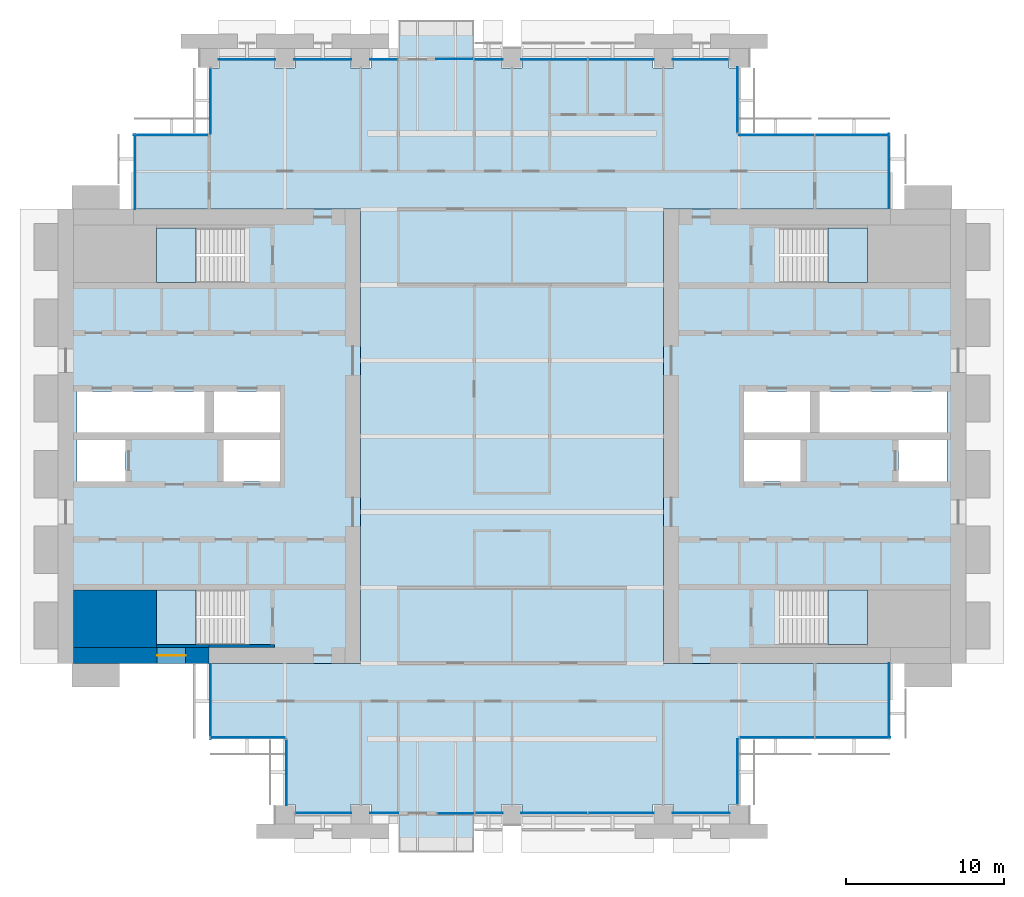
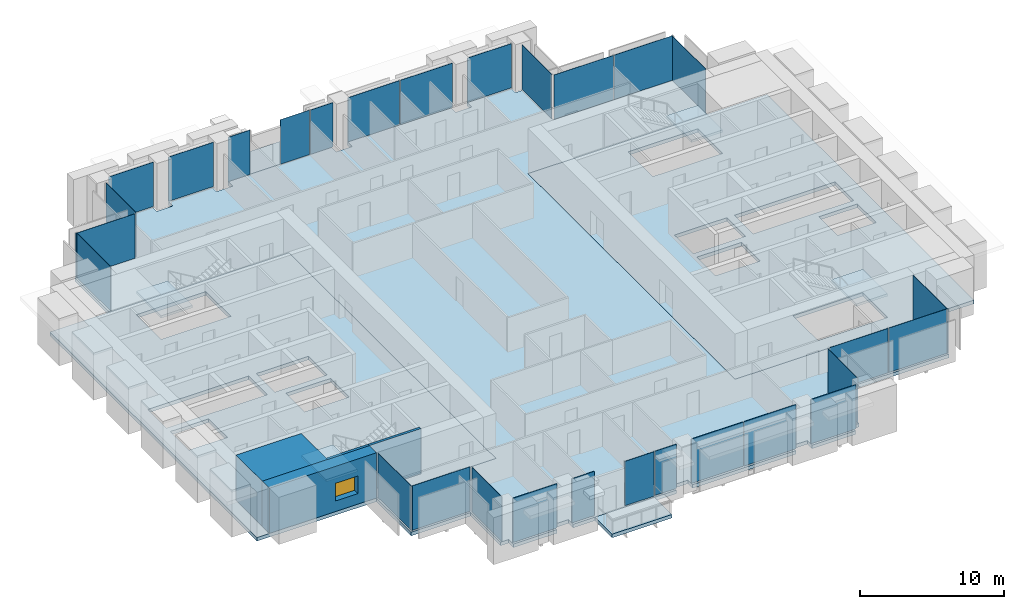
# One storey, part 8 of 15: 29 plates, 9 slabs, 4 walls, 1 window, 1 opening, 22 elements without a shape of their own.
"""IFC4 building model written with IfcOpenShell, lengths in metres."""

from ifc_helpers import new_model, si_unit, direction, frame, frame_2d, origin, origin_2d, place, context, subcontext, project, spatial, polyline, rectangle, outline, extrude, material, layer, layer_set, type_object, element, fill, aggregate, save


model = new_model("IFC4")

# Units and contexts
model_context = context("Model", 3, precision=1e-05, world=origin(), true_north=direction((0.0, 1.0)))
body_context = subcontext(model_context, "Body", "Model", "MODEL_VIEW")
ifc_project = project(units=[si_unit("LENGTHUNIT", "METRE"), si_unit("AREAUNIT", "SQUARE_METRE"), si_unit("VOLUMEUNIT", "CUBIC_METRE"), si_unit("PLANEANGLEUNIT", "RADIAN"), si_unit("MASSUNIT", "GRAM", prefix="KILO")], contexts=[model_context])

# Site, building, storey
site_placement = place(None, origin())
site = spatial("IfcSite", under=ifc_project, at=site_placement, CompositionType="ELEMENT")
building_placement = place(site_placement, origin())
building = spatial("IfcBuilding", under=site, at=building_placement, Name="Baori Bourse Tower", CompositionType="ELEMENT")
storey_placement = place(building_placement, frame((0.0, 0.0, 104.10009765625)))
storey = spatial("IfcBuildingStorey", under=building, at=storey_placement, Name="L21", CompositionType="ELEMENT", Elevation=104.10009765625)

# Slabs
ifc_material_1 = material(Name="Concrete f'c 40 MPa", Category="concrete")
ifc_layer_1 = layer(ifc_material_1, 0.300048828125)
ifc_layer_set_1 = layer_set([ifc_layer_1], Name="BL2 Balcony slab 300")
slab_type_1 = type_object("IfcSlabType", Name="BL2 Balcony slab 300", PredefinedType="FLOOR", material=ifc_layer_set_1)
slab_1_placement = place(storey_placement, frame((0.0, 0.0, -0.300048828125)))
element("IfcSlab", 1, at=slab_1_placement, inside=storey, type_object=slab_type_1, Name="Balcony slab L21 S", PredefinedType="FLOOR", context=body_context, shape_type="SweptSolid", body=[
    extrude(outline(polyline([(21.60009765625, 0.0), (21.60009765625, -2.39990234375), (26.39990234375, -2.39990234375), (26.39990234375, 0.0), (21.60009765625, 0.0)])), origin(), (0.0, 0.0, 1.0), 0.300048828125),
])
slab_2_placement = place(storey_placement, frame((0.0, 0.0, -0.300048828125)))
element("IfcSlab", 2, at=slab_2_placement, inside=storey, type_object=slab_type_1, Name="Balcony slab L21 N", PredefinedType="FLOOR", context=body_context, shape_type="SweptSolid", body=[
    extrude(outline(polyline([(21.60009765625, 48.0), (26.39990234375, 48.0), (26.39990234375, 50.39990234375), (21.60009765625, 50.39990234375), (21.60009765625, 48.0)])), origin(), (0.0, 0.0, 1.0), 0.300048828125),
])

# Curtain wall, plates
ifc_material_2 = material(Name="Pale anodised aluminium", Category="aluminium")
curtain_wall_type_1 = type_object("IfcCurtainWallType", Name="CW1 Curtain wall", PredefinedType="NOTDEFINED", material=ifc_material_2)
curtain_wall_1_placement = place(storey_placement, origin())
curtain_wall_1 = element("IfcCurtainWall", 3, at=curtain_wall_1_placement, inside=storey, type_object=curtain_wall_type_1, Name="Curtain wall CW1 L21 4", PredefinedType="NOTDEFINED")
ifc_material_3 = material(Name="Clear glass", Category="glass")
ifc_layer_2 = layer(ifc_material_3, 0.033935546875)
ifc_layer_set_2 = layer_set([ifc_layer_2], Name="CW1 Curtain wall panel")
plate_type_1 = type_object("IfcPlateType", Name="CW1 Curtain wall panel", PredefinedType="CURTAIN_PANEL", material=ifc_layer_set_2)
plate_1_placement = place(storey_placement, frame((40.77001953125, 47.89990234375, 0.080078125), z_axis=(0.0, 0.0, 1.0), x_axis=(-1.0, 0.0, 0.0)))
plate_1 = element("IfcPlate", 4, at=plate_1_placement, type_object=plate_type_1, Name="Curtain wall CW1 panel", PredefinedType="CURTAIN_PANEL", context=body_context, shape_type="SweptSolid", body=[
    extrude(rectangle(XDim=3.5400390625, YDim=0.033935546875, at=origin_2d()), origin(), (0.0, 0.0, 1.0), 3.760009765625),
])
plate_2_placement = place(storey_placement, frame((35.715087890625, 47.89990234375, 0.080078125), z_axis=(0.0, 0.0, 1.0), x_axis=(-1.0, 0.0, 0.0)))
plate_2 = element("IfcPlate", 5, at=plate_2_placement, type_object=plate_type_1, Name="Curtain wall CW1 panel", PredefinedType="CURTAIN_PANEL", context=body_context, shape_type="SweptSolid", body=[
    extrude(rectangle(XDim=4.169921875, YDim=0.033935546875, at=origin_2d()), origin(), (0.0, 0.0, 1.0), 3.760009765625),
])
plate_3_placement = place(storey_placement, frame((31.485107421875, 47.89990234375, 0.080078125), z_axis=(0.0, 0.0, 1.0), x_axis=(-1.0, 0.0, 0.0)))
plate_3 = element("IfcPlate", 6, at=plate_3_placement, type_object=plate_type_1, Name="Curtain wall CW1 panel", PredefinedType="CURTAIN_PANEL", context=body_context, shape_type="SweptSolid", body=[
    extrude(rectangle(XDim=4.169921875, YDim=0.033935546875, at=origin_2d()), origin(), (0.0, 0.0, 1.0), 3.760009765625),
])
plate_4_placement = place(storey_placement, frame((27.300048828125, 47.89990234375, 0.080078125), z_axis=(0.0, 0.0, 1.0), x_axis=(-1.0, 0.0, 0.0)))
plate_4 = element("IfcPlate", 7, at=plate_4_placement, type_object=plate_type_1, Name="Curtain wall CW1 panel", PredefinedType="CURTAIN_PANEL", context=body_context, shape_type="SweptSolid", body=[
    extrude(rectangle(XDim=1.800048828125, YDim=0.033935546875, at=origin_2d()), origin(), (0.0, 0.0, 1.0), 3.760009765625),
])
aggregate(curtain_wall_1, [plate_1, plate_2, plate_3, plate_4])

curtain_wall_2_placement = place(storey_placement, origin())
curtain_wall_2 = element("IfcCurtainWall", 8, at=curtain_wall_2_placement, inside=storey, type_object=curtain_wall_type_1, Name="Curtain wall CW1 L21 6", PredefinedType="NOTDEFINED")
plate_5_placement = place(storey_placement, frame((20.669921875, 47.89990234375, 0.080078125), z_axis=(0.0, 0.0, 1.0), x_axis=(-1.0, 0.0, 0.0)))
plate_5 = element("IfcPlate", 9, at=plate_5_placement, type_object=plate_type_1, Name="Curtain wall CW1 panel", PredefinedType="CURTAIN_PANEL", context=body_context, shape_type="SweptSolid", body=[
    extrude(rectangle(XDim=1.739990234375, YDim=0.033935546875, at=origin_2d()), origin(), (0.0, 0.0, 1.0), 3.760009765625),
])
plate_6_placement = place(storey_placement, frame((16.800048828125, 47.89990234375, 0.080078125), z_axis=(0.0, 0.0, 1.0), x_axis=(-1.0, 0.0, 0.0)))
plate_6 = element("IfcPlate", 10, at=plate_6_placement, type_object=plate_type_1, Name="Curtain wall CW1 panel", PredefinedType="CURTAIN_PANEL", context=body_context, shape_type="SweptSolid", body=[
    extrude(rectangle(XDim=3.60009765625, YDim=0.033935546875, at=origin_2d()), origin(), (0.0, 0.0, 1.0), 3.760009765625),
])
plate_7_placement = place(storey_placement, frame((12.0, 47.89990234375, 0.080078125), z_axis=(0.0, 0.0, 1.0), x_axis=(-1.0, 0.0, 0.0)))
plate_7 = element("IfcPlate", 11, at=plate_7_placement, type_object=plate_type_1, Name="Curtain wall CW1 panel", PredefinedType="CURTAIN_PANEL", context=body_context, shape_type="SweptSolid", body=[
    extrude(rectangle(XDim=3.60009765625, YDim=0.033935546875, at=origin_2d()), origin(), (0.0, 0.0, 1.0), 3.760009765625),
])
aggregate(curtain_wall_2, [plate_5, plate_6, plate_7])

curtain_wall_3_placement = place(storey_placement, origin())
curtain_wall_3 = element("IfcCurtainWall", 12, at=curtain_wall_3_placement, inside=storey, type_object=curtain_wall_type_1, Name="Curtain wall CW1 L21 13", PredefinedType="NOTDEFINED")
plate_8_placement = place(storey_placement, frame((16.830078125, 0.10009765625, 0.080078125), z_axis=(0.0, 0.0, 1.0), x_axis=(1.0, 0.0, 0.0)))
plate_8 = element("IfcPlate", 13, at=plate_8_placement, type_object=plate_type_1, Name="Curtain wall CW1 panel", PredefinedType="CURTAIN_PANEL", context=body_context, shape_type="SweptSolid", body=[
    extrude(rectangle(XDim=3.5400390625, YDim=0.033935546875, at=origin_2d()), origin(), (0.0, 0.0, 1.0), 3.760009765625),
])
plate_9_placement = place(storey_placement, frame((20.699951171875, 0.10009765625, 0.080078125), z_axis=(0.0, 0.0, 1.0), x_axis=(1.0, 0.0, 0.0)))
plate_9 = element("IfcPlate", 14, at=plate_9_placement, type_object=plate_type_1, Name="Curtain wall CW1 panel", PredefinedType="CURTAIN_PANEL", context=body_context, shape_type="SweptSolid", body=[
    extrude(rectangle(XDim=1.800048828125, YDim=0.033935546875, at=origin_2d()), origin(), (0.0, 0.0, 1.0), 3.760009765625),
])
aggregate(curtain_wall_3, [plate_8, plate_9])

curtain_wall_4_placement = place(storey_placement, origin())
curtain_wall_4 = element("IfcCurtainWall", 15, at=curtain_wall_4_placement, inside=storey, type_object=curtain_wall_type_1, Name="Curtain wall CW1 L21 15", PredefinedType="NOTDEFINED")
plate_10_placement = place(storey_placement, frame((27.330078125, 0.10009765625, 0.080078125), z_axis=(0.0, 0.0, 1.0), x_axis=(1.0, 0.0, 0.0)))
plate_10 = element("IfcPlate", 16, at=plate_10_placement, type_object=plate_type_1, Name="Curtain wall CW1 panel", PredefinedType="CURTAIN_PANEL", context=body_context, shape_type="SweptSolid", body=[
    extrude(rectangle(XDim=1.739990234375, YDim=0.033935546875, at=origin_2d()), origin(), (0.0, 0.0, 1.0), 3.760009765625),
])
plate_11_placement = place(storey_placement, frame((31.485107421875, 0.10009765625, 0.080078125), z_axis=(0.0, 0.0, 1.0), x_axis=(1.0, 0.0, 0.0)))
plate_11 = element("IfcPlate", 17, at=plate_11_placement, type_object=plate_type_1, Name="Curtain wall CW1 panel", PredefinedType="CURTAIN_PANEL", context=body_context, shape_type="SweptSolid", body=[
    extrude(rectangle(XDim=4.169921875, YDim=0.033935546875, at=origin_2d()), origin(), (0.0, 0.0, 1.0), 3.760009765625),
])
plate_12_placement = place(storey_placement, frame((35.715087890625, 0.10009765625, 0.080078125), z_axis=(0.0, 0.0, 1.0), x_axis=(1.0, 0.0, 0.0)))
plate_12 = element("IfcPlate", 18, at=plate_12_placement, type_object=plate_type_1, Name="Curtain wall CW1 panel", PredefinedType="CURTAIN_PANEL", context=body_context, shape_type="SweptSolid", body=[
    extrude(rectangle(XDim=4.169921875, YDim=0.033935546875, at=origin_2d()), origin(), (0.0, 0.0, 1.0), 3.760009765625),
])
plate_13_placement = place(storey_placement, frame((40.800048828125, 0.10009765625, 0.080078125), z_axis=(0.0, 0.0, 1.0), x_axis=(1.0, 0.0, 0.0)))
plate_13 = element("IfcPlate", 19, at=plate_13_placement, type_object=plate_type_1, Name="Curtain wall CW1 panel", PredefinedType="CURTAIN_PANEL", context=body_context, shape_type="SweptSolid", body=[
    extrude(rectangle(XDim=3.60009765625, YDim=0.033935546875, at=origin_2d()), origin(), (0.0, 0.0, 1.0), 3.760009765625),
])
aggregate(curtain_wall_4, [plate_10, plate_11, plate_12, plate_13])

# Curtain wall, plate
ifc_material_4 = material(Name="Pale anodised aluminium", Category="aluminium")
curtain_wall_type_2 = type_object("IfcCurtainWallType", Name="CW2 Curtain wall", PredefinedType="NOTDEFINED", material=ifc_material_4)
curtain_wall_5_placement = place(storey_placement, origin())
curtain_wall_5 = element("IfcCurtainWall", 20, at=curtain_wall_5_placement, inside=storey, type_object=curtain_wall_type_2, Name="Curtain wall CW2 L21 1", PredefinedType="NOTDEFINED")
ifc_material_5 = material(Name="Clear glass", Category="glass")
ifc_layer_3 = layer(ifc_material_5, 0.030029296875)
ifc_layer_set_3 = layer_set([ifc_layer_3], Name="CW2 Curtain wall panel")
plate_type_2 = type_object("IfcPlateType", Name="CW2 Curtain wall panel", PredefinedType="CURTAIN_PANEL", material=ifc_layer_set_3)
plate_14_placement = place(storey_placement, frame((52.7099609375, 40.827392578125, 0.06982421875), z_axis=(0.0, 0.0, 1.0), x_axis=(0.0, 1.0, 0.0)))
plate_14 = element("IfcPlate", 21, at=plate_14_placement, type_object=plate_type_2, Name="Curtain wall CW2 panel", PredefinedType="CURTAIN_PANEL", context=body_context, shape_type="SweptSolid", body=[
    extrude(rectangle(XDim=4.7451171875, YDim=0.030029296875, at=origin_2d()), origin(), (0.0, 0.0, 1.0), 3.77001953125),
])
aggregate(curtain_wall_5, [plate_14])

# Curtain wall, plates
curtain_wall_6_placement = place(storey_placement, origin())
curtain_wall_6 = element("IfcCurtainWall", 22, at=curtain_wall_6_placement, inside=storey, type_object=curtain_wall_type_2, Name="Curtain wall CW2 L21 2", PredefinedType="NOTDEFINED")
plate_15_placement = place(storey_placement, frame((50.38623046875, 43.110107421875, 0.06982421875), z_axis=(0.0, 0.0, 1.0), x_axis=(-1.0, 0.0, 0.0)))
plate_15 = element("IfcPlate", 23, at=plate_15_placement, type_object=plate_type_2, Name="Curtain wall CW2 panel", PredefinedType="CURTAIN_PANEL", context=body_context, shape_type="SweptSolid", body=[
    extrude(rectangle(XDim=4.717529296875, YDim=0.030029296875, at=origin_2d()), origin(), (0.0, 0.0, 1.0), 3.77001953125),
])
plate_16_placement = place(storey_placement, frame((45.586181640625, 43.110107421875, 0.06982421875), z_axis=(0.0, 0.0, 1.0), x_axis=(-1.0, 0.0, 0.0)))
plate_16 = element("IfcPlate", 24, at=plate_16_placement, type_object=plate_type_2, Name="Curtain wall CW2 panel", PredefinedType="CURTAIN_PANEL", context=body_context, shape_type="SweptSolid", body=[
    extrude(rectangle(XDim=4.7724609375, YDim=0.030029296875, at=origin_2d()), origin(), (0.0, 0.0, 1.0), 3.77001953125),
])
aggregate(curtain_wall_6, [plate_15, plate_16])

# Curtain wall, plate
curtain_wall_7_placement = place(storey_placement, origin())
curtain_wall_7 = element("IfcCurtainWall", 25, at=curtain_wall_7_placement, inside=storey, type_object=curtain_wall_type_2, Name="Curtain wall CW2 L21 3", PredefinedType="NOTDEFINED")
plate_17_placement = place(storey_placement, frame((43.110107421875, 45.327392578125, 0.06982421875), z_axis=(0.0, 0.0, 1.0), x_axis=(0.0, 1.0, 0.0)))
plate_17 = element("IfcPlate", 26, at=plate_17_placement, type_object=plate_type_2, Name="Curtain wall CW2 panel", PredefinedType="CURTAIN_PANEL", context=body_context, shape_type="SweptSolid", body=[
    extrude(rectangle(XDim=4.14501953125, YDim=0.030029296875, at=origin_2d()), origin(), (0.0, 0.0, 1.0), 3.77001953125),
])
aggregate(curtain_wall_7, [plate_17])

curtain_wall_8_placement = place(storey_placement, origin())
curtain_wall_8 = element("IfcCurtainWall", 27, at=curtain_wall_8_placement, inside=storey, type_object=curtain_wall_type_2, Name="Curtain wall CW2 L21 7", PredefinedType="NOTDEFINED")
plate_18_placement = place(storey_placement, frame((9.68994140625, 45.2724609375, 0.06982421875), z_axis=(0.0, 0.0, 1.0), x_axis=(0.0, -1.0, 0.0)))
plate_18 = element("IfcPlate", 28, at=plate_18_placement, type_object=plate_type_2, Name="Curtain wall CW2 panel", PredefinedType="CURTAIN_PANEL", context=body_context, shape_type="SweptSolid", body=[
    extrude(rectangle(XDim=4.14501953125, YDim=0.030029296875, at=origin_2d()), origin(), (0.0, 0.0, 1.0), 3.77001953125),
])
aggregate(curtain_wall_8, [plate_18])

curtain_wall_9_placement = place(storey_placement, origin())
curtain_wall_9 = element("IfcCurtainWall", 29, at=curtain_wall_9_placement, inside=storey, type_object=curtain_wall_type_2, Name="Curtain wall CW2 L21 8", PredefinedType="NOTDEFINED")
plate_19_placement = place(storey_placement, frame((7.172607421875, 43.110107421875, 0.06982421875), z_axis=(0.0, 0.0, 1.0), x_axis=(-1.0, 0.0, 0.0)))
plate_19 = element("IfcPlate", 30, at=plate_19_placement, type_object=plate_type_2, Name="Curtain wall CW2 panel", PredefinedType="CURTAIN_PANEL", context=body_context, shape_type="SweptSolid", body=[
    extrude(rectangle(XDim=4.7451171875, YDim=0.030029296875, at=origin_2d()), origin(), (0.0, 0.0, 1.0), 3.77001953125),
])
aggregate(curtain_wall_9, [plate_19])

curtain_wall_10_placement = place(storey_placement, origin())
curtain_wall_10 = element("IfcCurtainWall", 31, at=curtain_wall_10_placement, inside=storey, type_object=curtain_wall_type_2, Name="Curtain wall CW2 L21 9", PredefinedType="NOTDEFINED")
plate_20_placement = place(storey_placement, frame((4.889892578125, 40.7724609375, 0.06982421875), z_axis=(0.0, 0.0, 1.0), x_axis=(0.0, -1.0, 0.0)))
plate_20 = element("IfcPlate", 32, at=plate_20_placement, type_object=plate_type_2, Name="Curtain wall CW2 panel", PredefinedType="CURTAIN_PANEL", context=body_context, shape_type="SweptSolid", body=[
    extrude(rectangle(XDim=4.7451171875, YDim=0.030029296875, at=origin_2d()), origin(), (0.0, 0.0, 1.0), 3.77001953125),
])
aggregate(curtain_wall_10, [plate_20])

curtain_wall_11_placement = place(storey_placement, origin())
curtain_wall_11 = element("IfcCurtainWall", 33, at=curtain_wall_11_placement, inside=storey, type_object=curtain_wall_type_2, Name="Curtain wall CW2 L21 10", PredefinedType="NOTDEFINED")
plate_21_placement = place(storey_placement, frame((9.68994140625, 7.172607421875, 0.06982421875), z_axis=(0.0, 0.0, 1.0), x_axis=(0.0, -1.0, 0.0)))
plate_21 = element("IfcPlate", 34, at=plate_21_placement, type_object=plate_type_2, Name="Curtain wall CW2 panel", PredefinedType="CURTAIN_PANEL", context=body_context, shape_type="SweptSolid", body=[
    extrude(rectangle(XDim=4.7451171875, YDim=0.030029296875, at=origin_2d()), origin(), (0.0, 0.0, 1.0), 3.77001953125),
])
aggregate(curtain_wall_11, [plate_21])

curtain_wall_12_placement = place(storey_placement, origin())
curtain_wall_12 = element("IfcCurtainWall", 35, at=curtain_wall_12_placement, inside=storey, type_object=curtain_wall_type_2, Name="Curtain wall CW2 L21 11", PredefinedType="NOTDEFINED")
plate_22_placement = place(storey_placement, frame((12.027587890625, 4.889892578125, 0.06982421875), z_axis=(0.0, 0.0, 1.0), x_axis=(1.0, 0.0, 0.0)))
plate_22 = element("IfcPlate", 36, at=plate_22_placement, type_object=plate_type_2, Name="Curtain wall CW2 panel", PredefinedType="CURTAIN_PANEL", context=body_context, shape_type="SweptSolid", body=[
    extrude(rectangle(XDim=4.7451171875, YDim=0.030029296875, at=origin_2d()), origin(), (0.0, 0.0, 1.0), 3.77001953125),
])
aggregate(curtain_wall_12, [plate_22])

curtain_wall_13_placement = place(storey_placement, origin())
curtain_wall_13 = element("IfcCurtainWall", 37, at=curtain_wall_13_placement, inside=storey, type_object=curtain_wall_type_2, Name="Curtain wall CW2 L21 12", PredefinedType="NOTDEFINED")
plate_23_placement = place(storey_placement, frame((14.489990234375, 2.672607421875, 0.06982421875), z_axis=(0.0, 0.0, 1.0), x_axis=(0.0, -1.0, 0.0)))
plate_23 = element("IfcPlate", 38, at=plate_23_placement, type_object=plate_type_2, Name="Curtain wall CW2 panel", PredefinedType="CURTAIN_PANEL", context=body_context, shape_type="SweptSolid", body=[
    extrude(rectangle(XDim=4.14501953125, YDim=0.030029296875, at=origin_2d()), origin(), (0.0, 0.0, 1.0), 3.77001953125),
])
aggregate(curtain_wall_13, [plate_23])

curtain_wall_14_placement = place(storey_placement, origin())
curtain_wall_14 = element("IfcCurtainWall", 39, at=curtain_wall_14_placement, inside=storey, type_object=curtain_wall_type_2, Name="Curtain wall CW2 L21 16", PredefinedType="NOTDEFINED")
plate_24_placement = place(storey_placement, frame((43.110107421875, 2.7275390625, 0.06982421875), z_axis=(0.0, 0.0, 1.0), x_axis=(0.0, 1.0, 0.0)))
plate_24 = element("IfcPlate", 40, at=plate_24_placement, type_object=plate_type_2, Name="Curtain wall CW2 panel", PredefinedType="CURTAIN_PANEL", context=body_context, shape_type="SweptSolid", body=[
    extrude(rectangle(XDim=4.14501953125, YDim=0.030029296875, at=origin_2d()), origin(), (0.0, 0.0, 1.0), 3.77001953125),
])
aggregate(curtain_wall_14, [plate_24])

# Curtain wall, plates
curtain_wall_15_placement = place(storey_placement, origin())
curtain_wall_15 = element("IfcCurtainWall", 41, at=curtain_wall_15_placement, inside=storey, type_object=curtain_wall_type_2, Name="Curtain wall CW2 L21 17", PredefinedType="NOTDEFINED")
plate_25_placement = place(storey_placement, frame((45.61376953125, 4.889892578125, 0.06982421875), z_axis=(0.0, 0.0, 1.0), x_axis=(1.0, 0.0, 0.0)))
plate_25 = element("IfcPlate", 42, at=plate_25_placement, type_object=plate_type_2, Name="Curtain wall CW2 panel", PredefinedType="CURTAIN_PANEL", context=body_context, shape_type="SweptSolid", body=[
    extrude(rectangle(XDim=4.717529296875, YDim=0.030029296875, at=origin_2d()), origin(), (0.0, 0.0, 1.0), 3.77001953125),
])
plate_26_placement = place(storey_placement, frame((50.413818359375, 4.889892578125, 0.06982421875), z_axis=(0.0, 0.0, 1.0), x_axis=(1.0, 0.0, 0.0)))
plate_26 = element("IfcPlate", 43, at=plate_26_placement, type_object=plate_type_2, Name="Curtain wall CW2 panel", PredefinedType="CURTAIN_PANEL", context=body_context, shape_type="SweptSolid", body=[
    extrude(rectangle(XDim=4.7724609375, YDim=0.030029296875, at=origin_2d()), origin(), (0.0, 0.0, 1.0), 3.77001953125),
])
aggregate(curtain_wall_15, [plate_25, plate_26])

# Curtain wall, plate
curtain_wall_16_placement = place(storey_placement, origin())
curtain_wall_16 = element("IfcCurtainWall", 44, at=curtain_wall_16_placement, inside=storey, type_object=curtain_wall_type_2, Name="Curtain wall CW2 L21 18", PredefinedType="NOTDEFINED")
plate_27_placement = place(storey_placement, frame((52.7099609375, 7.2275390625, 0.06982421875), z_axis=(0.0, 0.0, 1.0), x_axis=(0.0, 1.0, 0.0)))
plate_27 = element("IfcPlate", 45, at=plate_27_placement, type_object=plate_type_2, Name="Curtain wall CW2 panel", PredefinedType="CURTAIN_PANEL", context=body_context, shape_type="SweptSolid", body=[
    extrude(rectangle(XDim=4.7451171875, YDim=0.030029296875, at=origin_2d()), origin(), (0.0, 0.0, 1.0), 3.77001953125),
])
aggregate(curtain_wall_16, [plate_27])

ifc_material_6 = material(Name="Pale anodised aluminium", Category="aluminium")
curtain_wall_type_3 = type_object("IfcCurtainWallType", Name="CW6 Curtain wall", PredefinedType="NOTDEFINED", material=ifc_material_6)
curtain_wall_17_placement = place(storey_placement, origin())
curtain_wall_17 = element("IfcCurtainWall", 46, at=curtain_wall_17_placement, inside=storey, type_object=curtain_wall_type_3, Name="Curtain wall CW6 L21 5", PredefinedType="NOTDEFINED")
ifc_material_7 = material(Name="Clear glass", Category="glass")
ifc_layer_4 = layer(ifc_material_7, 0.028076171875)
ifc_layer_set_4 = layer_set([ifc_layer_4], Name="CW6 Curtain wall panel")
plate_type_3 = type_object("IfcPlateType", Name="CW6 Curtain wall panel", PredefinedType="CURTAIN_PANEL", material=ifc_layer_set_4)
plate_28_placement = place(storey_placement, frame((25.175048828125, 47.925048828125, 0.06494140625), z_axis=(0.0, 0.0, 1.0), x_axis=(-1.0, 0.0, 0.0)))
plate_28 = element("IfcPlate", 47, at=plate_28_placement, type_object=plate_type_3, Name="Curtain wall CW6 panel", PredefinedType="CURTAIN_PANEL", context=body_context, shape_type="SweptSolid", body=[
    extrude(rectangle(XDim=2.35009765625, YDim=0.028076171875, at=origin_2d()), origin(), (0.0, 0.0, 1.0), 3.77490234375),
])
aggregate(curtain_wall_17, [plate_28])

curtain_wall_18_placement = place(storey_placement, origin())
curtain_wall_18 = element("IfcCurtainWall", 48, at=curtain_wall_18_placement, inside=storey, type_object=curtain_wall_type_3, Name="Curtain wall CW6 L21 14", PredefinedType="NOTDEFINED")
plate_29_placement = place(storey_placement, frame((25.22509765625, 0.074951171875, 0.06494140625), z_axis=(0.0, 0.0, 1.0), x_axis=(1.0, 0.0, 0.0)))
plate_29 = element("IfcPlate", 49, at=plate_29_placement, type_object=plate_type_3, Name="Curtain wall CW6 panel", PredefinedType="CURTAIN_PANEL", context=body_context, shape_type="SweptSolid", body=[
    extrude(rectangle(XDim=2.35009765625, YDim=0.028076171875, at=origin_2d()), origin(), (0.0, 0.0, 1.0), 3.77490234375),
])
aggregate(curtain_wall_18, [plate_29])

# Slabs
ifc_material_8 = material(Name="Concrete f'c 50 MPa", Category="concrete")
ifc_layer_5 = layer(ifc_material_8, 0.300048828125)
ifc_layer_set_5 = layer_set([ifc_layer_5], Name="Core slab 300")
slab_type_2 = type_object("IfcSlabType", Name="Core slab 300", PredefinedType="FLOOR", material=ifc_layer_set_5)
slab_3_placement = place(storey_placement, frame((0.0, 0.0, -0.300048828125)))
element("IfcSlab", 50, at=slab_3_placement, inside=storey, type_object=slab_type_2, Name="Core floor slab W01", PredefinedType="FLOOR", context=body_context, shape_type="SweptSolid", body=[
    extrude(outline(polyline([(0.0, 38.39990234375), (0.0, 9.60009765625), (19.199951171875, 9.60009765625), (19.199951171875, 38.39990234375), (0.0, 38.39990234375)]), holes=[polyline([(10.5, 21.14990234375), (10.5, 23.75), (14.10009765625, 23.75), (14.10009765625, 21.14990234375), (10.5, 21.14990234375)]), polyline([(14.10009765625, 24.25), (9.89990234375, 24.25), (9.89990234375, 26.85009765625), (14.10009765625, 26.85009765625), (14.10009765625, 24.25)]), polyline([(6.25, 14.25), (11.84912109375, 14.25), (11.84912109375, 10.800048828125), (6.25, 10.800048828125), (6.25, 14.25)]), polyline([(11.84912109375, 37.199951171875), (11.84912109375, 33.75), (6.25, 33.75), (6.25, 37.199951171875), (11.84912109375, 37.199951171875)]), polyline([(1.199951171875, 26.85009765625), (9.300048828125, 26.85009765625), (9.300048828125, 24.25), (1.199951171875, 24.25), (1.199951171875, 26.85009765625)]), polyline([(4.300048828125, 23.75), (4.300048828125, 21.14990234375), (1.199951171875, 21.14990234375), (1.199951171875, 23.75), (4.300048828125, 23.75)])]), origin(), (0.0, 0.0, 1.0), 0.300048828125),
])
slab_4_placement = place(storey_placement, frame((0.0, 0.0, -0.300048828125)))
element("IfcSlab", 51, at=slab_4_placement, inside=storey, type_object=slab_type_2, Name="Core floor slab E01", PredefinedType="FLOOR", context=body_context, shape_type="SweptSolid", body=[
    extrude(outline(polyline([(57.60009765625, 38.39990234375), (38.39990234375, 38.39990234375), (38.39990234375, 9.60009765625), (57.60009765625, 9.60009765625), (57.60009765625, 38.39990234375)]), holes=[polyline([(56.39990234375, 21.14990234375), (53.300048828125, 21.14990234375), (53.300048828125, 23.75), (56.39990234375, 23.75), (56.39990234375, 21.14990234375)]), polyline([(56.39990234375, 26.85009765625), (56.39990234375, 24.25), (48.300048828125, 24.25), (48.300048828125, 26.85009765625), (56.39990234375, 26.85009765625)]), polyline([(45.750732421875, 14.25), (51.35009765625, 14.25), (51.35009765625, 10.800048828125), (45.750732421875, 10.800048828125), (45.750732421875, 14.25)]), polyline([(51.35009765625, 37.199951171875), (51.35009765625, 33.75), (45.750732421875, 33.75), (45.750732421875, 37.199951171875), (51.35009765625, 37.199951171875)]), polyline([(43.5, 24.25), (43.5, 26.85009765625), (47.699951171875, 26.85009765625), (47.699951171875, 24.25), (43.5, 24.25)]), polyline([(43.5, 23.75), (47.10009765625, 23.75), (47.10009765625, 21.14990234375), (43.5, 21.14990234375), (43.5, 23.75)])]), origin(), (0.0, 0.0, 1.0), 0.300048828125),
])

# Stair, slab
ifc_material_9 = material(Name="Concrete f'c 50 MPa", Category="concrete")
stair_type = type_object("IfcStairType", Name="Core stair", PredefinedType="HALF_TURN_STAIR", material=ifc_material_9)
stair_1_placement = place(storey_placement, origin())
stair_1 = element("IfcStair", 52, at=stair_1_placement, inside=storey, type_object=stair_type, Name="L21 Stair WA", PredefinedType="HALF_TURN_STAIR")
ifc_material_10 = material(Name="Concrete f'c 50 MPa", Category="concrete")
slab_type_3 = type_object("IfcSlabType", Name="Core stair landing", PredefinedType="LANDING", material=ifc_material_10)
slab_5_placement = place(storey_placement, frame((0.0, 0.0, 1.7998046875)))
slab_5 = element("IfcSlab", 53, at=slab_5_placement, type_object=slab_type_3, Name="ST1 landing 1", PredefinedType="LANDING", context=body_context, shape_type="SweptSolid", body=[
    extrude(outline(polyline([(8.77001953125, 14.25), (6.25, 14.25), (6.25, 10.800048828125), (8.77001953125, 10.800048828125), (8.77001953125, 14.25)])), origin(), (0.0, 0.0, 1.0), 0.2001953125),
])
aggregate(stair_1, [slab_5])

stair_2_placement = place(storey_placement, origin())
stair_2 = element("IfcStair", 54, at=stair_2_placement, inside=storey, type_object=stair_type, Name="L21 Stair WB", PredefinedType="HALF_TURN_STAIR")
slab_6_placement = place(storey_placement, frame((0.0, 0.0, 1.7998046875)))
slab_6 = element("IfcSlab", 55, at=slab_6_placement, type_object=slab_type_3, Name="ST2 landing 1", PredefinedType="LANDING", context=body_context, shape_type="SweptSolid", body=[
    extrude(outline(polyline([(8.77001953125, 37.199951171875), (6.25, 37.199951171875), (6.25, 33.75), (8.77001953125, 33.75), (8.77001953125, 37.199951171875)])), origin(), (0.0, 0.0, 1.0), 0.2001953125),
])
aggregate(stair_2, [slab_6])

stair_3_placement = place(storey_placement, origin())
stair_3 = element("IfcStair", 56, at=stair_3_placement, inside=storey, type_object=stair_type, Name="L21 Stair EA", PredefinedType="HALF_TURN_STAIR")
slab_7_placement = place(storey_placement, frame((0.0, 0.0, 1.7998046875)))
slab_7 = element("IfcSlab", 57, at=slab_7_placement, type_object=slab_type_3, Name="ST3 landing 1", PredefinedType="LANDING", context=body_context, shape_type="SweptSolid", body=[
    extrude(outline(polyline([(48.830078125, 10.800048828125), (51.35009765625, 10.800048828125), (51.35009765625, 14.25), (48.830078125, 14.25), (48.830078125, 10.800048828125)])), origin(), (0.0, 0.0, 1.0), 0.2001953125),
])
aggregate(stair_3, [slab_7])

stair_4_placement = place(storey_placement, origin())
stair_4 = element("IfcStair", 58, at=stair_4_placement, inside=storey, type_object=stair_type, Name="L21 Stair EB", PredefinedType="HALF_TURN_STAIR")
slab_8_placement = place(storey_placement, frame((0.0, 0.0, 1.7998046875)))
slab_8 = element("IfcSlab", 59, at=slab_8_placement, type_object=slab_type_3, Name="ST4 landing 1", PredefinedType="LANDING", context=body_context, shape_type="SweptSolid", body=[
    extrude(outline(polyline([(48.830078125, 33.75), (51.35009765625, 33.75), (51.35009765625, 37.199951171875), (48.830078125, 37.199951171875), (48.830078125, 33.75)])), origin(), (0.0, 0.0, 1.0), 0.2001953125),
])
aggregate(stair_4, [slab_8])

# Slab
ifc_material_11 = material(Name="Concrete f'c 40 MPa", Category="concrete")
ifc_layer_6 = layer(ifc_material_11, 0.300048828125)
ifc_layer_set_6 = layer_set([ifc_layer_6], Name="Floor slab 300")
slab_type_4 = type_object("IfcSlabType", Name="Floor slab 300", PredefinedType="FLOOR", material=ifc_layer_set_6)
slab_9_placement = place(storey_placement, frame((0.0, 0.0, -0.300048828125)))
element("IfcSlab", 60, at=slab_9_placement, inside=storey, type_object=slab_type_4, Name="Floor slab L21", PredefinedType="FLOOR", context=body_context, shape_type="SweptSolid", body=[
    extrude(outline(polyline([(14.39990234375, 4.800048828125), (9.60009765625, 4.800048828125), (9.60009765625, 9.60009765625), (19.199951171875, 9.60009765625), (19.199951171875, 38.39990234375), (4.800048828125, 38.39990234375), (4.800048828125, 43.199951171875), (9.60009765625, 43.199951171875), (9.60009765625, 47.35009765625), (10.25, 47.35009765625), (10.25, 48.0), (13.75, 48.0), (13.75, 47.35009765625), (15.050048828125, 47.35009765625), (15.050048828125, 48.0), (18.550048828125, 48.0), (18.550048828125, 47.35009765625), (19.85009765625, 47.35009765625), (19.85009765625, 48.0), (28.14990234375, 48.0), (28.14990234375, 47.35009765625), (29.449951171875, 47.35009765625), (29.449951171875, 48.0), (37.75, 48.0), (37.75, 47.35009765625), (39.050048828125, 47.35009765625), (39.050048828125, 48.0), (42.550048828125, 48.0), (42.550048828125, 47.35009765625), (43.199951171875, 47.35009765625), (43.199951171875, 43.199951171875), (52.800048828125, 43.199951171875), (52.800048828125, 38.39990234375), (38.39990234375, 38.39990234375), (38.39990234375, 9.60009765625), (52.800048828125, 9.60009765625), (52.800048828125, 4.800048828125), (43.199951171875, 4.800048828125), (43.199951171875, 0.64990234375), (42.550048828125, 0.64990234375), (42.550048828125, 0.0), (39.050048828125, 0.0), (39.050048828125, 0.64990234375), (37.75, 0.64990234375), (37.75, 0.0), (29.449951171875, 0.0), (29.449951171875, 0.64990234375), (28.14990234375, 0.64990234375), (28.14990234375, 0.0), (19.85009765625, 0.0), (19.85009765625, 0.64990234375), (18.550048828125, 0.64990234375), (18.550048828125, 0.0), (15.050048828125, 0.0), (15.050048828125, 0.64990234375), (14.39990234375, 0.64990234375), (14.39990234375, 4.800048828125)])), origin(), (0.0, 0.0, 1.0), 0.300048828125),
])

# Wall
ifc_material_12 = material(Name="Concrete f'c 60 MPa", Category="concrete")
wall_type_1 = type_object("IfcWallType", Name="Core corner block f'c 60", PredefinedType="SHEAR", material=ifc_material_12)
wall_1_placement = place(storey_placement, frame((1.0, 12.425048828125, 0.0), z_axis=(0.0, 0.0, 1.0), x_axis=(1.0, 0.0, 0.0)))
element("IfcWall", 61, at=wall_1_placement, inside=storey, type_object=wall_type_1, Name="Core wall W05", PredefinedType="SHEAR", context=body_context, shape_type="SweptSolid", body=[
    extrude(rectangle(XDim=5.25, YDim=3.64990234375, at=frame_2d((2.625, 0.0))), origin(), (0.0, 0.0, 1.0), 3.83984375),
])

# Wall, opening, window
ifc_material_13 = material(Name="Concrete f'c 60 MPa", Category="concrete")
ifc_layer_7 = layer(ifc_material_13, 1.0)
ifc_layer_set_7 = layer_set([ifc_layer_7], Name="Core wall 1000 f'c 60")
wall_type_2 = type_object("IfcWallType", Name="Core wall 1000 f'c 60", PredefinedType="SHEAR", material=ifc_layer_set_7)
wall_2_placement = place(storey_placement, frame((9.60009765625, 10.10009765625, 0.0), z_axis=(0.0, 0.0, 1.0), x_axis=(-1.0, 0.0, 0.0)))
wall_2 = element("IfcWall", 62, at=wall_2_placement, inside=storey, type_object=wall_type_2, Name="Core wall W02", PredefinedType="SHEAR", context=body_context, shape_type="SweptSolid", body=[
    extrude(rectangle(XDim=8.60009765625, YDim=1.0, at=frame_2d((4.300048828125, 0.0))), origin(), (0.0, 0.0, 1.0), 3.83984375),
])
opening_placement = place(wall_2_placement, frame((1.5, 0.0, 0.89990234375)))
opening = element("IfcOpeningElement", 63, at=opening_placement, cuts=wall_2, Name="Opening L21-KW103", PredefinedType="OPENING", context=body_context, shape_type="SweptSolid", body=[
    extrude(rectangle(XDim=1.800048828125, YDim=1.5, at=frame_2d((0.89990234375, 0.75))), frame((0.0, 0.510009765625, 0.0), z_axis=(0.0, -1.0, 0.0), x_axis=(1.0, 0.0, 0.0)), (0.0, 0.0, 1.0), 1.02001953125),
])
ifc_material_14 = material(Name="Pale anodised aluminium", Category="aluminium")
window_type = type_object("IfcWindowType", Name="Stair window 1800 x 1500", PartitioningType="SINGLE_PANEL", PredefinedType="WINDOW", material=ifc_material_14)
window_placement = place(opening_placement, origin())
window = element("IfcWindow", 64, at=window_placement, inside=storey, type_object=window_type, Name="Stair window W L21 3", OverallHeight=1.5, OverallWidth=1.800048828125, PartitioningType="SINGLE_PANEL", PredefinedType="WINDOW", context=body_context, shape_type="SweptSolid", body=[
    extrude(rectangle(XDim=1.800048828125, YDim=1.5, at=frame_2d((0.89990234375, 0.75))), frame((0.0, 0.030029296875, 0.0), z_axis=(0.0, -1.0, 0.0), x_axis=(1.0, 0.0, 0.0)), (0.0, 0.0, 1.0), 0.06005859375),
])
fill(opening, window)

# Walls
ifc_material_15 = material(Name="Concrete f'c 60 MPa", Category="concrete")
ifc_layer_8 = layer(ifc_material_15, 0.199951171875)
ifc_layer_set_8 = layer_set([ifc_layer_8], Name="Shaft wall 200 f'c 60")
wall_type_3 = type_object("IfcWallType", Name="Shaft wall 200 f'c 60", PredefinedType="SHEAR", material=ifc_layer_set_8)
wall_3_placement = place(storey_placement, frame((6.25, 10.699951171875, 0.0), z_axis=(0.0, 0.0, 1.0), x_axis=(1.0, 0.0, 0.0)))
element("IfcWall", 65, at=wall_3_placement, inside=storey, type_object=wall_type_3, Name="Core wall W06", PredefinedType="SHEAR", context=body_context, shape_type="SweptSolid", body=[
    extrude(rectangle(XDim=3.35009765625, YDim=0.199951171875, at=frame_2d((1.675048828125, 0.0))), origin(), (0.0, 0.0, 1.0), 3.83984375),
])
wall_4_placement = place(storey_placement, frame((9.60009765625, 10.699951171875, 0.0), z_axis=(0.0, 0.0, 1.0), x_axis=(1.0, 0.0, 0.0)))
element("IfcWall", 66, at=wall_4_placement, inside=storey, type_object=wall_type_3, Name="Core wall W07", PredefinedType="SHEAR", context=body_context, shape_type="SweptSolid", body=[
    extrude(rectangle(XDim=4.14990234375, YDim=0.199951171875, at=frame_2d((2.074951171875, 0.0))), origin(), (0.0, 0.0, 1.0), 3.83984375),
])

save(model, "model.ifc")
